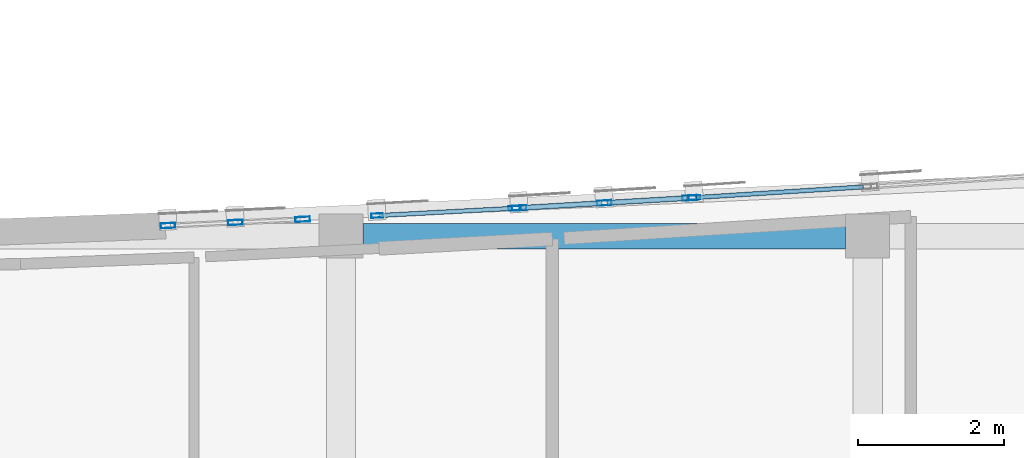
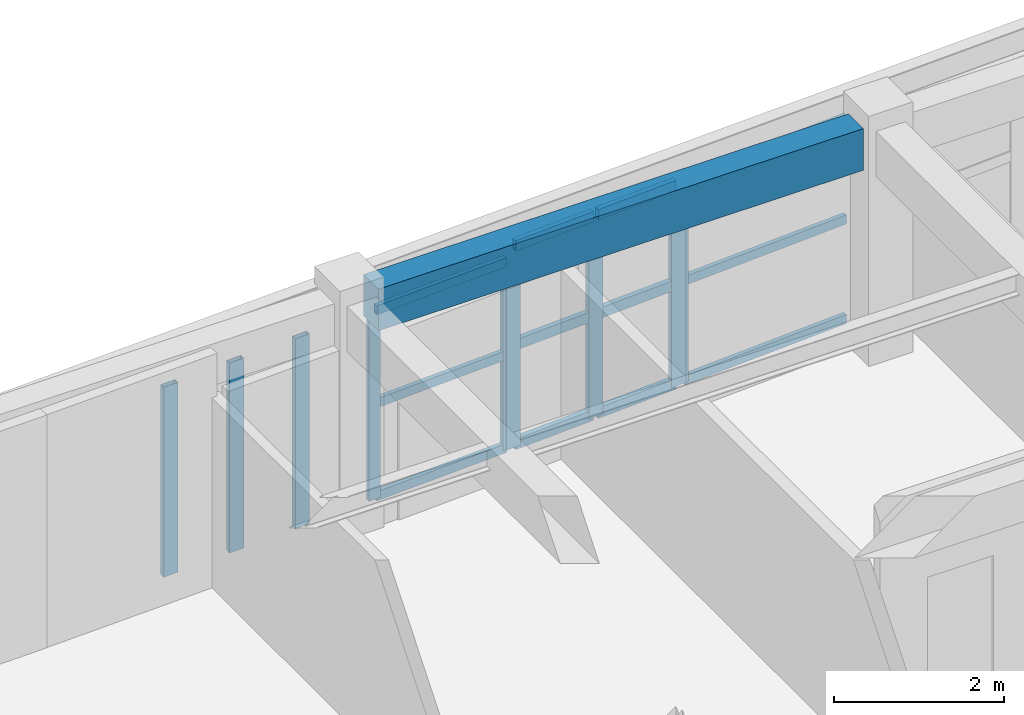
# One storey, part 9 of 73: 21 members, 1 beam, 4 elements without a shape of their own.
"""IFC4 building model written with IfcOpenShell, lengths in metres."""

from ifc_helpers import new_model, si_unit, direction, frame, origin, origin_2d, place, context, subcontext, project, spatial, rectangle, hollow_rectangle, extrude, material, layer, layer_set, material_profile, profile_set, type_object, element, aggregate, save


model = new_model("IFC4")

# Units and contexts
model_context = context("Model", 3, precision=1e-05, world=origin(), true_north=direction((0.0, 1.0)))
body_context = subcontext(model_context, "Body", "Model", "MODEL_VIEW")
ifc_project = project(units=[si_unit("LENGTHUNIT", "METRE"), si_unit("AREAUNIT", "SQUARE_METRE"), si_unit("VOLUMEUNIT", "CUBIC_METRE"), si_unit("PLANEANGLEUNIT", "RADIAN"), si_unit("MASSUNIT", "GRAM", prefix="KILO")], contexts=[model_context])

# Site, building, storey
site_placement = place(None, origin())
site = spatial("IfcSite", under=ifc_project, at=site_placement, CompositionType="ELEMENT")
building_placement = place(site_placement, origin())
building = spatial("IfcBuilding", under=site, at=building_placement, Name="Carrowvane Square Congress Hotel", CompositionType="ELEMENT")
storey_placement = place(building_placement, frame((0.0, 0.0, 19.199951171875)))
storey = spatial("IfcBuildingStorey", under=building, at=storey_placement, Name="L04", CompositionType="ELEMENT", Elevation=19.199951171875)

# Beam
ifc_material_1 = material(Name="Concrete C35/45", Category="concrete")
ifc_material_profile_1 = material_profile(ifc_material_1, rectangle(XDim=0.35009765625, YDim=0.60009765625, at=origin_2d()), Name="RC 350x600")
ifc_profile_set_1 = profile_set([ifc_material_profile_1], Name="Concrete C35/45")
beam_type = type_object("IfcBeamType", Name="BM-RC-350x600", PredefinedType="BEAM", material=ifc_profile_set_1)
beam_placement = place(storey_placement, frame((40.699951171875, 113.39990234375, 3.050048828125), z_axis=(1.0, 0.0, 0.0), x_axis=(0.0, 1.0, 0.0)))
element("IfcBeam", 1, at=beam_placement, inside=storey, type_object=beam_type, Name="L05 girder R/5-6", PredefinedType="BEAM", context=body_context, shape_type="SweptSolid", body=[
    extrude(rectangle(XDim=0.35009765625, YDim=0.60009765625, at=origin_2d()), origin(), (0.0, 0.0, 1.0), 6.60009765625),
])

# Curtain wall, members
ifc_material_2 = material(Name="Anodised aluminium", Category="aluminium")
ifc_layer_1 = layer(ifc_material_2, 0.162109375)
ifc_layer_set_1 = layer_set([ifc_layer_1], Name="Anodised aluminium")
curtain_wall_type_1 = type_object("IfcCurtainWallType", Name="CW-SYS-1", PredefinedType="NOTDEFINED", material=ifc_layer_set_1)
curtain_wall_1_placement = place(storey_placement, origin())
curtain_wall_1 = element("IfcCurtainWall", 2, at=curtain_wall_1_placement, inside=storey, type_object=curtain_wall_type_1, Name="L04 unitised curtain wall 248", PredefinedType="NOTDEFINED")
ifc_material_3 = material(Name="Anodised aluminium", Category="aluminium")
ifc_material_profile_2 = material_profile(ifc_material_3, hollow_rectangle(XDim=0.06005859375, YDim=0.159912109375, WallThickness=0.00390625, at=origin_2d()), Name="CW-ML 60x160x4")
ifc_profile_set_2 = profile_set([ifc_material_profile_2], Name="Anodised aluminium")
member_type_1 = type_object("IfcMemberType", Name="CW-MUL-1", PredefinedType="MULLION", material=ifc_profile_set_2)
member_1_placement = place(storey_placement, frame((40.893310546875, 113.67919921875, 0.0), z_axis=(0.0, 0.0, 1.0), x_axis=(-0.053513817306, 0.998567109091, 0.0)))
member_1 = element("IfcMember", 3, at=member_1_placement, type_object=member_type_1, Name="CW-1 mullion 1", PredefinedType="MULLION", context=body_context, shape_type="SweptSolid", body=[
    extrude(hollow_rectangle(XDim=0.06005859375, YDim=0.159912109375, WallThickness=0.00390625, at=origin_2d()), origin(), (0.0, 0.0, 1.0), 2.735107421875),
])
member_2_placement = place(storey_placement, frame((42.77001953125, 113.77978515625, 0.0), z_axis=(0.0, 0.0, 1.0), x_axis=(-0.053513817306, 0.998567109091, 0.0)))
member_2 = element("IfcMember", 4, at=member_2_placement, type_object=member_type_1, Name="CW-1 mullion 2", PredefinedType="MULLION", context=body_context, shape_type="SweptSolid", body=[
    extrude(hollow_rectangle(XDim=0.06005859375, YDim=0.159912109375, WallThickness=0.00390625, at=origin_2d()), origin(), (0.0, 0.0, 1.0), 2.735107421875),
])

# Curtain wall, member
ifc_material_4 = material(Name="Anodised aluminium", Category="aluminium")
ifc_layer_2 = layer(ifc_material_4, 0.18603515625)
ifc_layer_set_2 = layer_set([ifc_layer_2], Name="Anodised aluminium")
curtain_wall_type_2 = type_object("IfcCurtainWallType", Name="CW-SYS-3", PredefinedType="NOTDEFINED", material=ifc_layer_set_2)
curtain_wall_2_placement = place(storey_placement, origin())
curtain_wall_2 = element("IfcCurtainWall", 5, at=curtain_wall_2_placement, inside=storey, type_object=curtain_wall_type_2, Name="L04 unitised curtain wall 250", PredefinedType="NOTDEFINED")
member_3_placement = place(storey_placement, frame((45.22998046875, 113.925048828125, 0.0), z_axis=(0.0, 0.0, 1.0), x_axis=(-0.063273487972, 0.997996225303, 0.0)))
member_3 = element("IfcMember", 6, at=member_3_placement, type_object=member_type_1, Name="CW-3 mullion 1", PredefinedType="MULLION", context=body_context, shape_type="SweptSolid", body=[
    extrude(hollow_rectangle(XDim=0.06005859375, YDim=0.159912109375, WallThickness=0.00390625, at=origin_2d()), origin(), (0.0, 0.0, 1.0), 2.925537109375),
])

# Curtain wall, members
ifc_material_5 = material(Name="Anodised aluminium", Category="aluminium")
ifc_layer_3 = layer(ifc_material_5, 0.24609375)
ifc_layer_set_3 = layer_set([ifc_layer_3], Name="Anodised aluminium")
curtain_wall_type_3 = type_object("IfcCurtainWallType", Name="CW-SYS-8", PredefinedType="NOTDEFINED", material=ifc_layer_set_3)
curtain_wall_3_placement = place(storey_placement, origin())
curtain_wall_3 = element("IfcCurtainWall", 7, at=curtain_wall_3_placement, inside=storey, type_object=curtain_wall_type_3, Name="L04 unitised curtain wall 247", PredefinedType="NOTDEFINED")
ifc_material_6 = material(Name="Anodised aluminium", Category="aluminium")
ifc_material_profile_3 = material_profile(ifc_material_6, hollow_rectangle(XDim=0.070068359375, YDim=0.199951171875, WallThickness=0.0048828125, at=origin_2d()), Name="CW-ML 70x200x5")
ifc_profile_set_3 = profile_set([ifc_material_profile_3], Name="Anodised aluminium")
member_type_2 = type_object("IfcMemberType", Name="CW-MUL-2", PredefinedType="MULLION", material=ifc_profile_set_3)
member_4_placement = place(storey_placement, frame((38.034912109375, 113.54248046875, 0.0), z_axis=(0.0, 0.0, 1.0), x_axis=(-0.046522035775, 0.998917263935, 0.0)))
member_4 = element("IfcMember", 8, at=member_4_placement, type_object=member_type_2, Name="CW-8 mullion 1", PredefinedType="MULLION", context=body_context, shape_type="SweptSolid", body=[
    extrude(hollow_rectangle(XDim=0.070068359375, YDim=0.199951171875, WallThickness=0.0048828125, at=origin_2d()), origin(), (0.0, 0.0, 1.0), 2.735107421875),
])
member_5_placement = place(storey_placement, frame((38.955810546875, 113.58544921875, 0.0), z_axis=(0.0, 0.0, 1.0), x_axis=(-0.046522035775, 0.998917263935, 0.0)))
member_5 = element("IfcMember", 9, at=member_5_placement, type_object=member_type_2, Name="CW-8 mullion 2", PredefinedType="MULLION", context=body_context, shape_type="SweptSolid", body=[
    extrude(hollow_rectangle(XDim=0.070068359375, YDim=0.199951171875, WallThickness=0.0048828125, at=origin_2d()), origin(), (0.0, 0.0, 1.0), 2.735107421875),
])
member_6_placement = place(storey_placement, frame((39.87646484375, 113.62841796875, 0.0), z_axis=(0.0, 0.0, 1.0), x_axis=(-0.046522035775, 0.998917263935, 0.0)))
member_6 = element("IfcMember", 10, at=member_6_placement, type_object=member_type_2, Name="CW-8 mullion 3", PredefinedType="MULLION", context=body_context, shape_type="SweptSolid", body=[
    extrude(hollow_rectangle(XDim=0.070068359375, YDim=0.199951171875, WallThickness=0.0048828125, at=origin_2d()), origin(), (0.0, 0.0, 1.0), 2.735107421875),
])
aggregate(curtain_wall_3, [member_4, member_5, member_6])

ifc_material_7 = material(Name="Anodised aluminium", Category="aluminium")
ifc_layer_4 = layer(ifc_material_7, 0.174072265625)
ifc_layer_set_4 = layer_set([ifc_layer_4], Name="Anodised aluminium")
curtain_wall_type_4 = type_object("IfcCurtainWallType", Name="CW-SYS-2", PredefinedType="NOTDEFINED", material=ifc_layer_set_4)
curtain_wall_4_placement = place(storey_placement, origin())
curtain_wall_4 = element("IfcCurtainWall", 11, at=curtain_wall_4_placement, inside=storey, type_object=curtain_wall_type_4, Name="L04 unitised curtain wall 249", PredefinedType="NOTDEFINED")
member_7_placement = place(storey_placement, frame((42.8349609375, 113.783447265625, 0.0), z_axis=(0.0, 0.0, 1.0), x_axis=(-0.058988522254, 0.99825866099, 0.0)))
member_7 = element("IfcMember", 12, at=member_7_placement, type_object=member_type_2, Name="CW-2 mullion 1", PredefinedType="MULLION", context=body_context, shape_type="SweptSolid", body=[
    extrude(hollow_rectangle(XDim=0.070068359375, YDim=0.199951171875, WallThickness=0.0048828125, at=origin_2d()), origin(), (0.0, 0.0, 1.0), 2.925537109375),
])
member_8_placement = place(storey_placement, frame((44.0, 113.852294921875, 0.0), z_axis=(0.0, 0.0, 1.0), x_axis=(-0.058988522254, 0.99825866099, 0.0)))
member_8 = element("IfcMember", 13, at=member_8_placement, type_object=member_type_2, Name="CW-2 mullion 2", PredefinedType="MULLION", context=body_context, shape_type="SweptSolid", body=[
    extrude(hollow_rectangle(XDim=0.070068359375, YDim=0.199951171875, WallThickness=0.0048828125, at=origin_2d()), origin(), (0.0, 0.0, 1.0), 2.925537109375),
])
member_9_placement = place(storey_placement, frame((45.1650390625, 113.921142578125, 0.0), z_axis=(0.0, 0.0, 1.0), x_axis=(-0.058988522254, 0.99825866099, 0.0)))
member_9 = element("IfcMember", 14, at=member_9_placement, type_object=member_type_2, Name="CW-2 mullion 3", PredefinedType="MULLION", context=body_context, shape_type="SweptSolid", body=[
    extrude(hollow_rectangle(XDim=0.070068359375, YDim=0.199951171875, WallThickness=0.0048828125, at=origin_2d()), origin(), (0.0, 0.0, 1.0), 2.925537109375),
])

# Member
ifc_material_8 = material(Name="Anodised aluminium", Category="aluminium")
ifc_material_profile_4 = material_profile(ifc_material_8, hollow_rectangle(XDim=0.06005859375, YDim=0.1298828125, WallThickness=0.00390625, at=origin_2d()), Name="CW-TR 60x130x4")
ifc_profile_set_4 = profile_set([ifc_material_profile_4], Name="Anodised aluminium")
member_type_3 = type_object("IfcMemberType", Name="CW-TRN-1", PredefinedType="USERDEFINED", material=ifc_profile_set_4)
member_10_placement = place(storey_placement, frame((40.923095703125, 113.6806640625, 0.030029296875), z_axis=(0.998565827462, 0.053537727111, 0.0), x_axis=(-0.053537727111, 0.998565827462, 0.0)))
member_10 = element("IfcMember", 15, at=member_10_placement, type_object=member_type_3, Name="CW-1 transom 1.1", ObjectType="TRANSOM", PredefinedType="USERDEFINED", context=body_context, shape_type="SweptSolid", body=[
    extrude(hollow_rectangle(XDim=0.06005859375, YDim=0.1298828125, WallThickness=0.00390625, at=origin_2d()), origin(), (0.0, 0.0, 1.0), 1.819580078125),
])

member_11_placement = place(storey_placement, frame((40.923095703125, 113.6806640625, 1.367431640625), z_axis=(0.998565827462, 0.053537727111, 0.0), x_axis=(-0.053537727111, 0.998565827462, 0.0)))
member_11 = element("IfcMember", 16, at=member_11_placement, type_object=member_type_3, Name="CW-1 transom 1.2", ObjectType="TRANSOM", PredefinedType="USERDEFINED", context=body_context, shape_type="SweptSolid", body=[
    extrude(hollow_rectangle(XDim=0.06005859375, YDim=0.1298828125, WallThickness=0.00390625, at=origin_2d()), origin(), (0.0, 0.0, 1.0), 1.819580078125),
])

member_12_placement = place(storey_placement, frame((40.923095703125, 113.6806640625, 2.705078125), z_axis=(0.998565827462, 0.053537727111, 0.0), x_axis=(-0.053537727111, 0.998565827462, 0.0)))
member_12 = element("IfcMember", 17, at=member_12_placement, type_object=member_type_3, Name="CW-1 transom 1.3", ObjectType="TRANSOM", PredefinedType="USERDEFINED", context=body_context, shape_type="SweptSolid", body=[
    extrude(hollow_rectangle(XDim=0.06005859375, YDim=0.1298828125, WallThickness=0.00390625, at=origin_2d()), origin(), (0.0, 0.0, 1.0), 1.819580078125),
])

aggregate(curtain_wall_1, [member_1, member_2, member_10, member_11, member_12])

member_13_placement = place(storey_placement, frame((45.259765625, 113.927001953125, 0.030029296875), z_axis=(0.997997311039, 0.063256360614, 0.0), x_axis=(-0.063256360614, 0.997997311039, 0.0)))
member_13 = element("IfcMember", 18, at=member_13_placement, type_object=member_type_3, Name="CW-3 transom 1.1", ObjectType="TRANSOM", PredefinedType="USERDEFINED", context=body_context, shape_type="SweptSolid", body=[
    extrude(hollow_rectangle(XDim=0.06005859375, YDim=0.1298828125, WallThickness=0.00390625, at=origin_2d()), origin(), (0.0, 0.0, 1.0), 2.284912109375),
])

member_14_placement = place(storey_placement, frame((45.259765625, 113.927001953125, 1.462890625), z_axis=(0.997997311039, 0.063256360614, 0.0), x_axis=(-0.063256360614, 0.997997311039, 0.0)))
member_14 = element("IfcMember", 19, at=member_14_placement, type_object=member_type_3, Name="CW-3 transom 1.2", ObjectType="TRANSOM", PredefinedType="USERDEFINED", context=body_context, shape_type="SweptSolid", body=[
    extrude(hollow_rectangle(XDim=0.06005859375, YDim=0.1298828125, WallThickness=0.00390625, at=origin_2d()), origin(), (0.0, 0.0, 1.0), 2.284912109375),
])

member_15_placement = place(storey_placement, frame((45.259765625, 113.927001953125, 2.895751953125), z_axis=(0.997997311039, 0.063256360614, 0.0), x_axis=(-0.063256360614, 0.997997311039, 0.0)))
member_15 = element("IfcMember", 20, at=member_15_placement, type_object=member_type_3, Name="CW-3 transom 1.3", ObjectType="TRANSOM", PredefinedType="USERDEFINED", context=body_context, shape_type="SweptSolid", body=[
    extrude(hollow_rectangle(XDim=0.06005859375, YDim=0.1298828125, WallThickness=0.00390625, at=origin_2d()), origin(), (0.0, 0.0, 1.0), 2.284912109375),
])

aggregate(curtain_wall_2, [member_3, member_13, member_14, member_15])

ifc_material_9 = material(Name="Anodised aluminium", Category="aluminium")
ifc_material_profile_5 = material_profile(ifc_material_9, hollow_rectangle(XDim=0.070068359375, YDim=0.14990234375, WallThickness=0.0048828125, at=origin_2d()), Name="CW-TR 70x150x5")
ifc_profile_set_5 = profile_set([ifc_material_profile_5], Name="Anodised aluminium")
member_type_4 = type_object("IfcMemberType", Name="CW-TRN-2", PredefinedType="USERDEFINED", material=ifc_profile_set_5)
member_16_placement = place(storey_placement, frame((42.869873046875, 113.785400390625, 0.03515625), z_axis=(0.998259762999, 0.058969870084, 0.0), x_axis=(-0.058969870084, 0.998259762999, 0.0)))
member_16 = element("IfcMember", 21, at=member_16_placement, type_object=member_type_4, Name="CW-2 transom 1.1", ObjectType="TRANSOM", PredefinedType="USERDEFINED", context=body_context, shape_type="SweptSolid", body=[
    extrude(hollow_rectangle(XDim=0.070068359375, YDim=0.14990234375, WallThickness=0.0048828125, at=origin_2d()), origin(), (0.0, 0.0, 1.0), 1.09716796875),
])

member_17_placement = place(storey_placement, frame((42.869873046875, 113.785400390625, 1.462890625), z_axis=(0.998259762999, 0.058969870084, 0.0), x_axis=(-0.058969870084, 0.998259762999, 0.0)))
member_17 = element("IfcMember", 22, at=member_17_placement, type_object=member_type_4, Name="CW-2 transom 1.2", ObjectType="TRANSOM", PredefinedType="USERDEFINED", context=body_context, shape_type="SweptSolid", body=[
    extrude(hollow_rectangle(XDim=0.070068359375, YDim=0.14990234375, WallThickness=0.0048828125, at=origin_2d()), origin(), (0.0, 0.0, 1.0), 1.09716796875),
])

member_18_placement = place(storey_placement, frame((42.869873046875, 113.785400390625, 2.890625), z_axis=(0.998259762999, 0.058969870084, 0.0), x_axis=(-0.058969870084, 0.998259762999, 0.0)))
member_18 = element("IfcMember", 23, at=member_18_placement, type_object=member_type_4, Name="CW-2 transom 1.3", ObjectType="TRANSOM", PredefinedType="USERDEFINED", context=body_context, shape_type="SweptSolid", body=[
    extrude(hollow_rectangle(XDim=0.070068359375, YDim=0.14990234375, WallThickness=0.0048828125, at=origin_2d()), origin(), (0.0, 0.0, 1.0), 1.09716796875),
])

member_19_placement = place(storey_placement, frame((44.034912109375, 113.854248046875, 0.03515625), z_axis=(0.998259762999, 0.058969870084, 0.0), x_axis=(-0.058969870084, 0.998259762999, 0.0)))
member_19 = element("IfcMember", 24, at=member_19_placement, type_object=member_type_4, Name="CW-2 transom 2.1", ObjectType="TRANSOM", PredefinedType="USERDEFINED", context=body_context, shape_type="SweptSolid", body=[
    extrude(hollow_rectangle(XDim=0.070068359375, YDim=0.14990234375, WallThickness=0.0048828125, at=origin_2d()), origin(), (0.0, 0.0, 1.0), 1.09716796875),
])

member_20_placement = place(storey_placement, frame((44.034912109375, 113.854248046875, 1.462890625), z_axis=(0.998259762999, 0.058969870084, 0.0), x_axis=(-0.058969870084, 0.998259762999, 0.0)))
member_20 = element("IfcMember", 25, at=member_20_placement, type_object=member_type_4, Name="CW-2 transom 2.2", ObjectType="TRANSOM", PredefinedType="USERDEFINED", context=body_context, shape_type="SweptSolid", body=[
    extrude(hollow_rectangle(XDim=0.070068359375, YDim=0.14990234375, WallThickness=0.0048828125, at=origin_2d()), origin(), (0.0, 0.0, 1.0), 1.09716796875),
])

member_21_placement = place(storey_placement, frame((44.034912109375, 113.854248046875, 2.890625), z_axis=(0.998259762999, 0.058969870084, 0.0), x_axis=(-0.058969870084, 0.998259762999, 0.0)))
member_21 = element("IfcMember", 26, at=member_21_placement, type_object=member_type_4, Name="CW-2 transom 2.3", ObjectType="TRANSOM", PredefinedType="USERDEFINED", context=body_context, shape_type="SweptSolid", body=[
    extrude(hollow_rectangle(XDim=0.070068359375, YDim=0.14990234375, WallThickness=0.0048828125, at=origin_2d()), origin(), (0.0, 0.0, 1.0), 1.09716796875),
])

aggregate(curtain_wall_4, [member_7, member_8, member_9, member_16, member_17, member_18, member_19, member_20, member_21])

save(model, "model.ifc")
